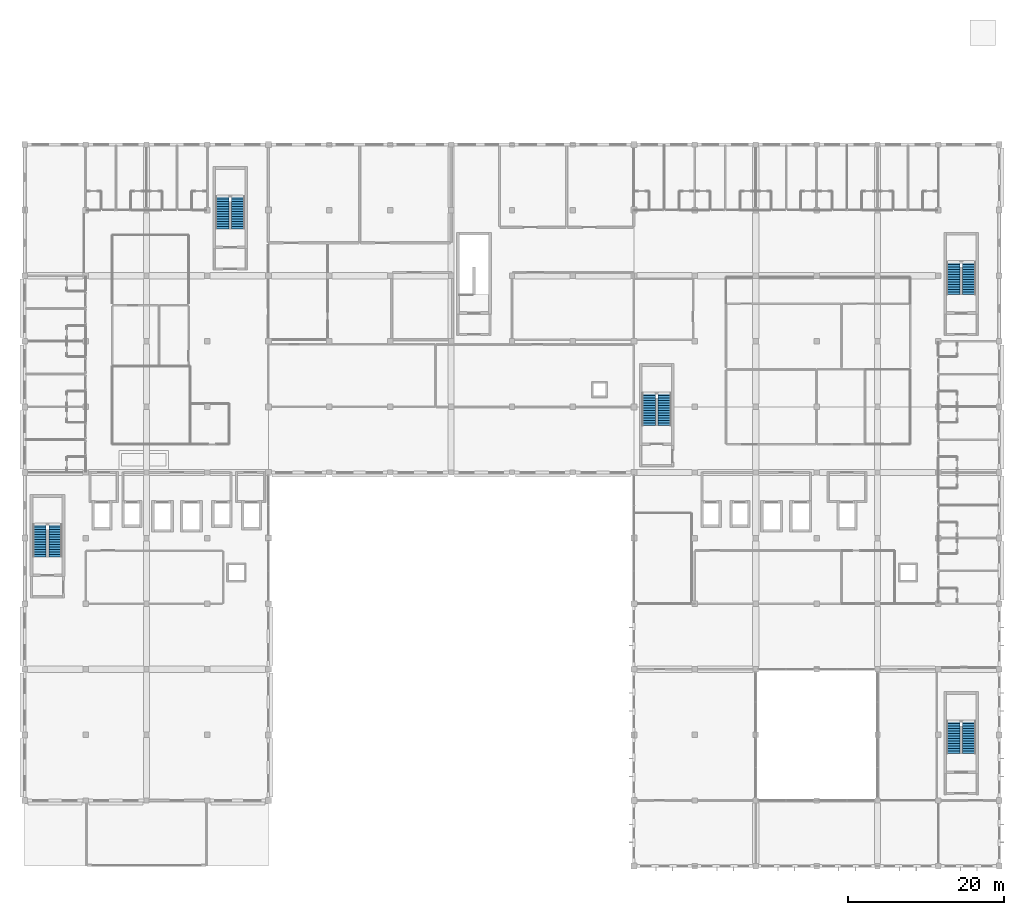
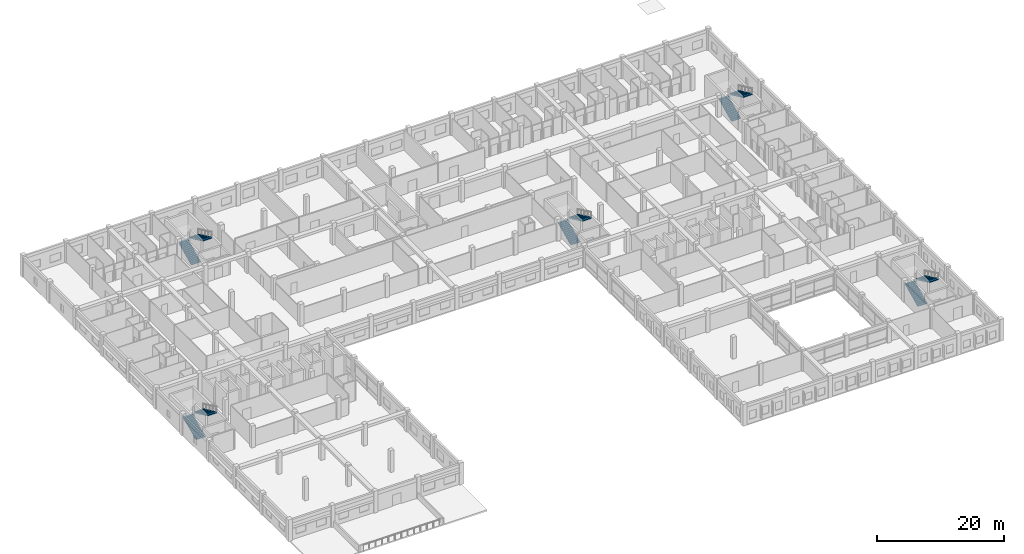
# One storey, part 44 of 53: 10 stair flights, 5 elements without a shape of their own.
"""IFC4 building model written with IfcOpenShell, lengths in metres."""

from ifc_helpers import new_model, si_unit, direction, frame, origin, place, context, subcontext, project, spatial, polyline, outline, extrude, material, type_object, element, aggregate, save


model = new_model("IFC4")

# Units and contexts
model_context = context("Model", 3, precision=1e-05, world=origin(), true_north=direction((0.0, 1.0)))
body_context = subcontext(model_context, "Body", "Model", "MODEL_VIEW")
ifc_project = project(units=[si_unit("LENGTHUNIT", "METRE"), si_unit("AREAUNIT", "SQUARE_METRE"), si_unit("VOLUMEUNIT", "CUBIC_METRE"), si_unit("PLANEANGLEUNIT", "RADIAN"), si_unit("MASSUNIT", "GRAM", prefix="KILO"), si_unit("THERMODYNAMICTEMPERATUREUNIT", "KELVIN"), si_unit("POWERUNIT", "WATT")], contexts=[model_context])

# Site, building, storey
site_placement = place(None, origin())
site = spatial("IfcSite", under=ifc_project, at=site_placement, CompositionType="ELEMENT")
building_placement = place(site_placement, origin())
building = spatial("IfcBuilding", under=site, at=building_placement, Name="Srebrne Nadtorze General Hospital", CompositionType="ELEMENT")
storey_placement = place(building_placement, frame((0.0, 0.0, 18.0)))
storey = spatial("IfcBuildingStorey", under=building, at=storey_placement, Name="L04", CompositionType="ELEMENT", Elevation=18.0)

# Stair, stair flights
ifc_material_1 = material(Name="Concrete C35/45", Category="concrete")
stair_type = type_object("IfcStairType", Name="Dog-leg escape stair 420", PredefinedType="HALF_TURN_STAIR", material=ifc_material_1)
stair_1_placement = place(storey_placement, origin())
stair_1 = element("IfcStair", 1, at=stair_1_placement, inside=storey, type_object=stair_type, Name="Escape stair ST-01-L04", PredefinedType="HALF_TURN_STAIR")
ifc_material_2 = material(Name="Concrete C35/45", Category="concrete")
stair_flight_type = type_object("IfcStairFlightType", Name="Reinforced concrete stair flight 14R", PredefinedType="STRAIGHT", material=ifc_material_2)
stair_flight_1_placement = place(storey_placement, frame((25.300048828125, 39.60009765625, 0.0), z_axis=(0.0, 0.0, 1.0), x_axis=(0.0, 1.0, 0.0)))
stair_flight_1 = element("IfcStairFlight", 2, at=stair_flight_1_placement, type_object=stair_flight_type, Name="ST-01 flight 1", NumberOfRisers=14, NumberOfTreads=13, PredefinedType="STRAIGHT", RiserHeight=0.15, TreadLength=0.32, context=body_context, shape_type="SweptSolid", body=[
    extrude(outline(polyline([(0.0, 0.0), (0.0, 0.14990234375), (0.320068359375, 0.14990234375), (0.320068359375, 0.300048828125), (0.639892578125, 0.300048828125), (0.639892578125, 0.449951171875), (0.9599609375, 0.449951171875), (0.9599609375, 0.60009765625), (1.280029296875, 0.60009765625), (1.280029296875, 0.75), (1.60009765625, 0.75), (1.60009765625, 0.89990234375), (1.919921875, 0.89990234375), (1.919921875, 1.050048828125), (2.239990234375, 1.050048828125), (2.239990234375, 1.199951171875), (2.56005859375, 1.199951171875), (2.56005859375, 1.35009765625), (2.8798828125, 1.35009765625), (2.8798828125, 1.5), (3.199951171875, 1.5), (3.199951171875, 1.64990234375), (3.52001953125, 1.64990234375), (3.52001953125, 1.800048828125), (3.840087890625, 1.800048828125), (3.840087890625, 1.949951171875), (4.159912109375, 1.949951171875), (4.159912109375, 2.10009765625), (4.159912109375, 1.751220703125), (0.423828125, 0.0), (0.0, 0.0)])), frame((0.0, 0.85009765625, 0.0), z_axis=(0.0, -1.0, 0.0), x_axis=(1.0, 0.0, 0.0)), (0.0, 0.0, 1.0), 1.699951171875),
])
stair_flight_2_placement = place(storey_placement, frame((27.35009765625, 43.760009765625, 2.10009765625), z_axis=(0.0, 0.0, 1.0), x_axis=(0.0, -1.0, 0.0)))
stair_flight_2 = element("IfcStairFlight", 3, at=stair_flight_2_placement, type_object=stair_flight_type, Name="ST-01 flight 2", NumberOfRisers=14, NumberOfTreads=13, PredefinedType="STRAIGHT", RiserHeight=0.15, TreadLength=0.32, context=body_context, shape_type="SweptSolid", body=[
    extrude(outline(polyline([(0.0, 0.0), (0.0, 0.14990234375), (0.320068359375, 0.14990234375), (0.320068359375, 0.300048828125), (0.639892578125, 0.300048828125), (0.639892578125, 0.449951171875), (0.9599609375, 0.449951171875), (0.9599609375, 0.60009765625), (1.280029296875, 0.60009765625), (1.280029296875, 0.75), (1.60009765625, 0.75), (1.60009765625, 0.89990234375), (1.919921875, 0.89990234375), (1.919921875, 1.050048828125), (2.239990234375, 1.050048828125), (2.239990234375, 1.199951171875), (2.56005859375, 1.199951171875), (2.56005859375, 1.35009765625), (2.8798828125, 1.35009765625), (2.8798828125, 1.5), (3.199951171875, 1.5), (3.199951171875, 1.64990234375), (3.52001953125, 1.64990234375), (3.52001953125, 1.800048828125), (3.840087890625, 1.800048828125), (3.840087890625, 1.949951171875), (4.159912109375, 1.949951171875), (4.159912109375, 2.10009765625), (4.159912109375, 1.751220703125), (0.423828125, 0.0), (0.0, 0.0)])), frame((0.0, 0.85009765625, 0.0), z_axis=(0.0, -1.0, 0.0), x_axis=(1.0, 0.0, 0.0)), (0.0, 0.0, 1.0), 1.699951171875),
])
aggregate(stair_1, [stair_flight_1, stair_flight_2])

stair_2_placement = place(storey_placement, origin())
stair_2 = element("IfcStair", 4, at=stair_2_placement, inside=storey, type_object=stair_type, Name="Escape stair ST-02-L04", PredefinedType="HALF_TURN_STAIR")
stair_flight_3_placement = place(storey_placement, frame((48.699951171875, 81.60009765625, 0.0), z_axis=(0.0, 0.0, 1.0), x_axis=(0.0, 1.0, 0.0)))
stair_flight_3 = element("IfcStairFlight", 5, at=stair_flight_3_placement, type_object=stair_flight_type, Name="ST-02 flight 1", NumberOfRisers=14, NumberOfTreads=13, PredefinedType="STRAIGHT", RiserHeight=0.15, TreadLength=0.32, context=body_context, shape_type="SweptSolid", body=[
    extrude(outline(polyline([(0.0, 0.0), (0.0, 0.14990234375), (0.320068359375, 0.14990234375), (0.320068359375, 0.300048828125), (0.639892578125, 0.300048828125), (0.639892578125, 0.449951171875), (0.9599609375, 0.449951171875), (0.9599609375, 0.60009765625), (1.280029296875, 0.60009765625), (1.280029296875, 0.75), (1.60009765625, 0.75), (1.60009765625, 0.89990234375), (1.919921875, 0.89990234375), (1.919921875, 1.050048828125), (2.239990234375, 1.050048828125), (2.239990234375, 1.199951171875), (2.56005859375, 1.199951171875), (2.56005859375, 1.35009765625), (2.8798828125, 1.35009765625), (2.8798828125, 1.5), (3.199951171875, 1.5), (3.199951171875, 1.64990234375), (3.52001953125, 1.64990234375), (3.52001953125, 1.800048828125), (3.840087890625, 1.800048828125), (3.840087890625, 1.949951171875), (4.159912109375, 1.949951171875), (4.159912109375, 2.10009765625), (4.159912109375, 1.751220703125), (0.423828125, 0.0), (0.0, 0.0)])), frame((0.0, 0.85009765625, 0.0), z_axis=(0.0, -1.0, 0.0), x_axis=(1.0, 0.0, 0.0)), (0.0, 0.0, 1.0), 1.699951171875),
])
stair_flight_4_placement = place(storey_placement, frame((50.75, 85.760009765625, 2.10009765625), z_axis=(0.0, 0.0, 1.0), x_axis=(0.0, -1.0, 0.0)))
stair_flight_4 = element("IfcStairFlight", 6, at=stair_flight_4_placement, type_object=stair_flight_type, Name="ST-02 flight 2", NumberOfRisers=14, NumberOfTreads=13, PredefinedType="STRAIGHT", RiserHeight=0.15, TreadLength=0.32, context=body_context, shape_type="SweptSolid", body=[
    extrude(outline(polyline([(0.0, 0.0), (0.0, 0.14990234375), (0.320068359375, 0.14990234375), (0.320068359375, 0.300048828125), (0.639892578125, 0.300048828125), (0.639892578125, 0.449951171875), (0.9599609375, 0.449951171875), (0.9599609375, 0.60009765625), (1.280029296875, 0.60009765625), (1.280029296875, 0.75), (1.60009765625, 0.75), (1.60009765625, 0.89990234375), (1.919921875, 0.89990234375), (1.919921875, 1.050048828125), (2.239990234375, 1.050048828125), (2.239990234375, 1.199951171875), (2.56005859375, 1.199951171875), (2.56005859375, 1.35009765625), (2.8798828125, 1.35009765625), (2.8798828125, 1.5), (3.199951171875, 1.5), (3.199951171875, 1.64990234375), (3.52001953125, 1.64990234375), (3.52001953125, 1.800048828125), (3.840087890625, 1.800048828125), (3.840087890625, 1.949951171875), (4.159912109375, 1.949951171875), (4.159912109375, 2.10009765625), (4.159912109375, 1.751220703125), (0.423828125, 0.0), (0.0, 0.0)])), frame((0.0, 0.85009765625, 0.0), z_axis=(0.0, -1.0, 0.0), x_axis=(1.0, 0.0, 0.0)), (0.0, 0.0, 1.0), 1.699951171875),
])
aggregate(stair_2, [stair_flight_3, stair_flight_4])

stair_3_placement = place(storey_placement, origin())
stair_3 = element("IfcStair", 7, at=stair_3_placement, inside=storey, type_object=stair_type, Name="Escape stair ST-03-L04", PredefinedType="HALF_TURN_STAIR")
stair_flight_5_placement = place(storey_placement, frame((103.300048828125, 56.39990234375, 0.0), z_axis=(0.0, 0.0, 1.0), x_axis=(0.0, 1.0, 0.0)))
stair_flight_5 = element("IfcStairFlight", 8, at=stair_flight_5_placement, type_object=stair_flight_type, Name="ST-03 flight 1", NumberOfRisers=14, NumberOfTreads=13, PredefinedType="STRAIGHT", RiserHeight=0.15, TreadLength=0.32, context=body_context, shape_type="SweptSolid", body=[
    extrude(outline(polyline([(0.0, 0.0), (0.0, 0.14990234375), (0.320068359375, 0.14990234375), (0.320068359375, 0.300048828125), (0.639892578125, 0.300048828125), (0.639892578125, 0.449951171875), (0.9599609375, 0.449951171875), (0.9599609375, 0.60009765625), (1.280029296875, 0.60009765625), (1.280029296875, 0.75), (1.60009765625, 0.75), (1.60009765625, 0.89990234375), (1.919921875, 0.89990234375), (1.919921875, 1.050048828125), (2.239990234375, 1.050048828125), (2.239990234375, 1.199951171875), (2.56005859375, 1.199951171875), (2.56005859375, 1.35009765625), (2.8798828125, 1.35009765625), (2.8798828125, 1.5), (3.199951171875, 1.5), (3.199951171875, 1.64990234375), (3.52001953125, 1.64990234375), (3.52001953125, 1.800048828125), (3.840087890625, 1.800048828125), (3.840087890625, 1.949951171875), (4.159912109375, 1.949951171875), (4.159912109375, 2.10009765625), (4.159912109375, 1.751220703125), (0.423828125, 0.0), (0.0, 0.0)])), frame((0.0, 0.85009765625, 0.0), z_axis=(0.0, -1.0, 0.0), x_axis=(1.0, 0.0, 0.0)), (0.0, 0.0, 1.0), 1.699951171875),
])
stair_flight_6_placement = place(storey_placement, frame((105.35009765625, 60.56005859375, 2.10009765625), z_axis=(0.0, 0.0, 1.0), x_axis=(0.0, -1.0, 0.0)))
stair_flight_6 = element("IfcStairFlight", 9, at=stair_flight_6_placement, type_object=stair_flight_type, Name="ST-03 flight 2", NumberOfRisers=14, NumberOfTreads=13, PredefinedType="STRAIGHT", RiserHeight=0.15, TreadLength=0.32, context=body_context, shape_type="SweptSolid", body=[
    extrude(outline(polyline([(0.0, 0.0), (0.0, 0.14990234375), (0.320068359375, 0.14990234375), (0.320068359375, 0.300048828125), (0.639892578125, 0.300048828125), (0.639892578125, 0.449951171875), (0.9599609375, 0.449951171875), (0.9599609375, 0.60009765625), (1.280029296875, 0.60009765625), (1.280029296875, 0.75), (1.60009765625, 0.75), (1.60009765625, 0.89990234375), (1.919921875, 0.89990234375), (1.919921875, 1.050048828125), (2.239990234375, 1.050048828125), (2.239990234375, 1.199951171875), (2.56005859375, 1.199951171875), (2.56005859375, 1.35009765625), (2.8798828125, 1.35009765625), (2.8798828125, 1.5), (3.199951171875, 1.5), (3.199951171875, 1.64990234375), (3.52001953125, 1.64990234375), (3.52001953125, 1.800048828125), (3.840087890625, 1.800048828125), (3.840087890625, 1.949951171875), (4.159912109375, 1.949951171875), (4.159912109375, 2.10009765625), (4.159912109375, 1.751220703125), (0.423828125, 0.0), (0.0, 0.0)])), frame((0.0, 0.85009765625, 0.0), z_axis=(0.0, -1.0, 0.0), x_axis=(1.0, 0.0, 0.0)), (0.0, 0.0, 1.0), 1.699951171875),
])
aggregate(stair_3, [stair_flight_5, stair_flight_6])

stair_4_placement = place(storey_placement, origin())
stair_4 = element("IfcStair", 10, at=stair_4_placement, inside=storey, type_object=stair_type, Name="Escape stair ST-04-L04", PredefinedType="HALF_TURN_STAIR")
stair_flight_7_placement = place(storey_placement, frame((142.300048828125, 73.199951171875, 0.0), z_axis=(0.0, 0.0, 1.0), x_axis=(0.0, 1.0, 0.0)))
stair_flight_7 = element("IfcStairFlight", 11, at=stair_flight_7_placement, type_object=stair_flight_type, Name="ST-04 flight 1", NumberOfRisers=14, NumberOfTreads=13, PredefinedType="STRAIGHT", RiserHeight=0.15, TreadLength=0.32, context=body_context, shape_type="SweptSolid", body=[
    extrude(outline(polyline([(0.0, 0.0), (0.0, 0.14990234375), (0.320068359375, 0.14990234375), (0.320068359375, 0.300048828125), (0.639892578125, 0.300048828125), (0.639892578125, 0.449951171875), (0.9599609375, 0.449951171875), (0.9599609375, 0.60009765625), (1.280029296875, 0.60009765625), (1.280029296875, 0.75), (1.60009765625, 0.75), (1.60009765625, 0.89990234375), (1.919921875, 0.89990234375), (1.919921875, 1.050048828125), (2.239990234375, 1.050048828125), (2.239990234375, 1.199951171875), (2.56005859375, 1.199951171875), (2.56005859375, 1.35009765625), (2.8798828125, 1.35009765625), (2.8798828125, 1.5), (3.199951171875, 1.5), (3.199951171875, 1.64990234375), (3.52001953125, 1.64990234375), (3.52001953125, 1.800048828125), (3.840087890625, 1.800048828125), (3.840087890625, 1.949951171875), (4.159912109375, 1.949951171875), (4.159912109375, 2.10009765625), (4.159912109375, 1.751220703125), (0.423828125, 0.0), (0.0, 0.0)])), frame((0.0, 0.85009765625, 0.0), z_axis=(0.0, -1.0, 0.0), x_axis=(1.0, 0.0, 0.0)), (0.0, 0.0, 1.0), 1.699951171875),
])
stair_flight_8_placement = place(storey_placement, frame((144.35009765625, 77.360107421875, 2.10009765625), z_axis=(0.0, 0.0, 1.0), x_axis=(0.0, -1.0, 0.0)))
stair_flight_8 = element("IfcStairFlight", 12, at=stair_flight_8_placement, type_object=stair_flight_type, Name="ST-04 flight 2", NumberOfRisers=14, NumberOfTreads=13, PredefinedType="STRAIGHT", RiserHeight=0.15, TreadLength=0.32, context=body_context, shape_type="SweptSolid", body=[
    extrude(outline(polyline([(0.0, 0.0), (0.0, 0.14990234375), (0.320068359375, 0.14990234375), (0.320068359375, 0.300048828125), (0.639892578125, 0.300048828125), (0.639892578125, 0.449951171875), (0.9599609375, 0.449951171875), (0.9599609375, 0.60009765625), (1.280029296875, 0.60009765625), (1.280029296875, 0.75), (1.60009765625, 0.75), (1.60009765625, 0.89990234375), (1.919921875, 0.89990234375), (1.919921875, 1.050048828125), (2.239990234375, 1.050048828125), (2.239990234375, 1.199951171875), (2.56005859375, 1.199951171875), (2.56005859375, 1.35009765625), (2.8798828125, 1.35009765625), (2.8798828125, 1.5), (3.199951171875, 1.5), (3.199951171875, 1.64990234375), (3.52001953125, 1.64990234375), (3.52001953125, 1.800048828125), (3.840087890625, 1.800048828125), (3.840087890625, 1.949951171875), (4.159912109375, 1.949951171875), (4.159912109375, 2.10009765625), (4.159912109375, 1.751220703125), (0.423828125, 0.0), (0.0, 0.0)])), frame((0.0, 0.85009765625, 0.0), z_axis=(0.0, -1.0, 0.0), x_axis=(1.0, 0.0, 0.0)), (0.0, 0.0, 1.0), 1.699951171875),
])
aggregate(stair_4, [stair_flight_7, stair_flight_8])

stair_5_placement = place(storey_placement, origin())
stair_5 = element("IfcStair", 13, at=stair_5_placement, inside=storey, type_object=stair_type, Name="Escape stair ST-08-L04", PredefinedType="HALF_TURN_STAIR")
stair_flight_9_placement = place(storey_placement, frame((142.300048828125, 14.39990234375, 0.0), z_axis=(0.0, 0.0, 1.0), x_axis=(0.0, 1.0, 0.0)))
stair_flight_9 = element("IfcStairFlight", 14, at=stair_flight_9_placement, type_object=stair_flight_type, Name="ST-08 flight 1", NumberOfRisers=14, NumberOfTreads=13, PredefinedType="STRAIGHT", RiserHeight=0.15, TreadLength=0.32, context=body_context, shape_type="SweptSolid", body=[
    extrude(outline(polyline([(0.0, 0.0), (0.0, 0.14990234375), (0.320068359375, 0.14990234375), (0.320068359375, 0.300048828125), (0.639892578125, 0.300048828125), (0.639892578125, 0.449951171875), (0.9599609375, 0.449951171875), (0.9599609375, 0.60009765625), (1.280029296875, 0.60009765625), (1.280029296875, 0.75), (1.60009765625, 0.75), (1.60009765625, 0.89990234375), (1.919921875, 0.89990234375), (1.919921875, 1.050048828125), (2.239990234375, 1.050048828125), (2.239990234375, 1.199951171875), (2.56005859375, 1.199951171875), (2.56005859375, 1.35009765625), (2.8798828125, 1.35009765625), (2.8798828125, 1.5), (3.199951171875, 1.5), (3.199951171875, 1.64990234375), (3.52001953125, 1.64990234375), (3.52001953125, 1.800048828125), (3.840087890625, 1.800048828125), (3.840087890625, 1.949951171875), (4.159912109375, 1.949951171875), (4.159912109375, 2.10009765625), (4.159912109375, 1.751220703125), (0.423828125, 0.0), (0.0, 0.0)])), frame((0.0, 0.85009765625, 0.0), z_axis=(0.0, -1.0, 0.0), x_axis=(1.0, 0.0, 0.0)), (0.0, 0.0, 1.0), 1.699951171875),
])
stair_flight_10_placement = place(storey_placement, frame((144.35009765625, 18.56005859375, 2.10009765625), z_axis=(0.0, 0.0, 1.0), x_axis=(0.0, -1.0, 0.0)))
stair_flight_10 = element("IfcStairFlight", 15, at=stair_flight_10_placement, type_object=stair_flight_type, Name="ST-08 flight 2", NumberOfRisers=14, NumberOfTreads=13, PredefinedType="STRAIGHT", RiserHeight=0.15, TreadLength=0.32, context=body_context, shape_type="SweptSolid", body=[
    extrude(outline(polyline([(0.0, 0.0), (0.0, 0.14990234375), (0.320068359375, 0.14990234375), (0.320068359375, 0.300048828125), (0.639892578125, 0.300048828125), (0.639892578125, 0.449951171875), (0.9599609375, 0.449951171875), (0.9599609375, 0.60009765625), (1.280029296875, 0.60009765625), (1.280029296875, 0.75), (1.60009765625, 0.75), (1.60009765625, 0.89990234375), (1.919921875, 0.89990234375), (1.919921875, 1.050048828125), (2.239990234375, 1.050048828125), (2.239990234375, 1.199951171875), (2.56005859375, 1.199951171875), (2.56005859375, 1.35009765625), (2.8798828125, 1.35009765625), (2.8798828125, 1.5), (3.199951171875, 1.5), (3.199951171875, 1.64990234375), (3.52001953125, 1.64990234375), (3.52001953125, 1.800048828125), (3.840087890625, 1.800048828125), (3.840087890625, 1.949951171875), (4.159912109375, 1.949951171875), (4.159912109375, 2.10009765625), (4.159912109375, 1.751220703125), (0.423828125, 0.0), (0.0, 0.0)])), frame((0.0, 0.85009765625, 0.0), z_axis=(0.0, -1.0, 0.0), x_axis=(1.0, 0.0, 0.0)), (0.0, 0.0, 1.0), 1.699951171875),
])
aggregate(stair_5, [stair_flight_9, stair_flight_10])

save(model, "model.ifc")
